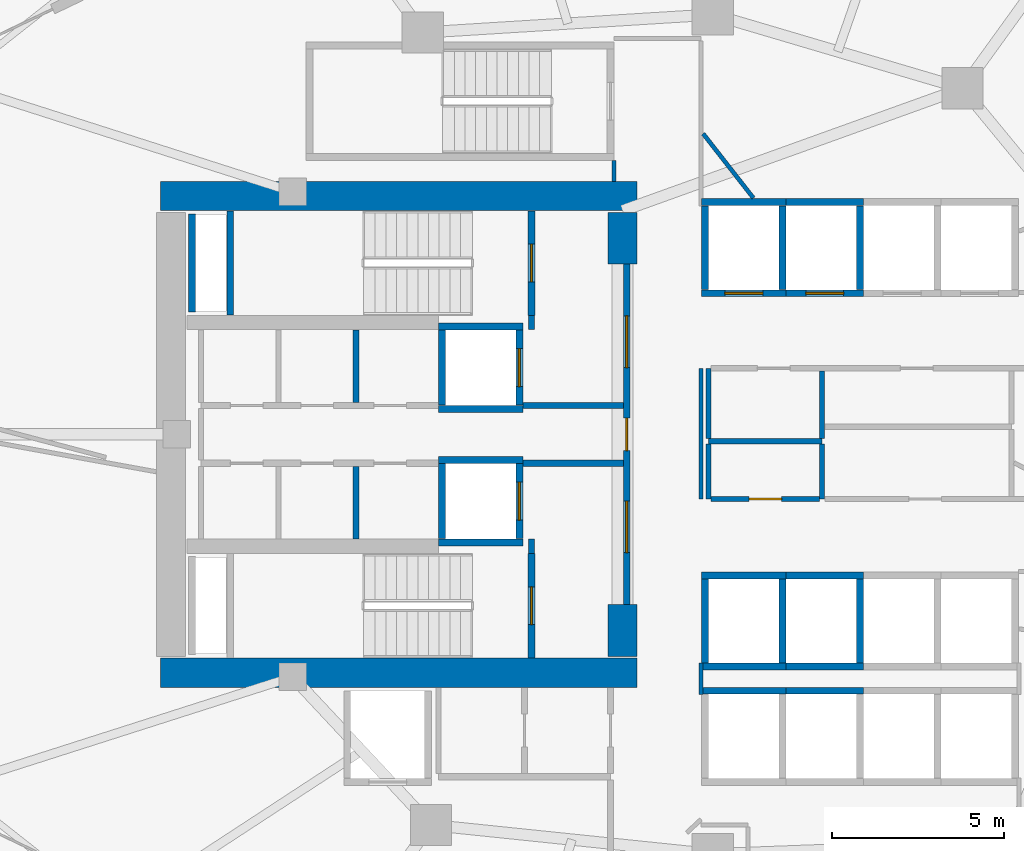
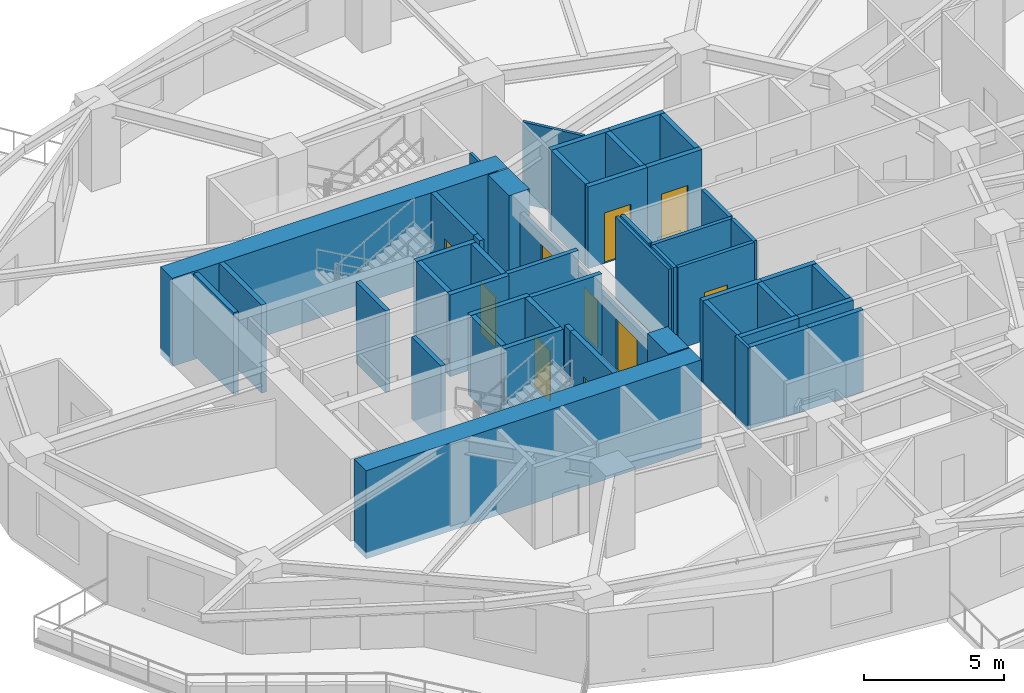
# One storey, part 4 of 15: 49 walls, 10 doors, 10 openings.
"""IFC4 building model written with IfcOpenShell, lengths in metres."""

from ifc_helpers import new_model, si_unit, direction, frame, frame_2d, origin, place, context, subcontext, project, spatial, rectangle, extrude, material, layer, layer_set, type_object, element, fill, save


model = new_model("IFC4")

# Units and contexts
model_context = context("Model", 3, precision=1e-05, world=origin(), true_north=direction((0.0, 1.0)))
body_context = subcontext(model_context, "Body", "Model", "MODEL_VIEW")
ifc_project = project(units=[si_unit("LENGTHUNIT", "METRE"), si_unit("AREAUNIT", "SQUARE_METRE"), si_unit("VOLUMEUNIT", "CUBIC_METRE"), si_unit("PLANEANGLEUNIT", "RADIAN"), si_unit("MASSUNIT", "GRAM", prefix="KILO")], contexts=[model_context])

# Site, building, storey
site_placement = place(None, origin())
site = spatial("IfcSite", under=ifc_project, at=site_placement, CompositionType="ELEMENT")
building_placement = place(site_placement, origin())
building = spatial("IfcBuilding", under=site, at=building_placement, Name="Kolvaren Gate Tower and Convention Centre", CompositionType="ELEMENT")
storey_placement = place(building_placement, frame((0.0, 0.0, 72.699951171875)))
storey = spatial("IfcBuildingStorey", under=building, at=storey_placement, Name="L17", CompositionType="ELEMENT", Elevation=72.699951171875)

# Walls
ifc_material_1 = material(Name="Autoclaved Aerated Masonry Blockwork Class 4 (4.0 MPa)", Category="masonry")
ifc_layer_1 = layer(ifc_material_1, 0.179931640625)
ifc_layer_set_1 = layer_set([ifc_layer_1], Name="Autoclaved Aerated Masonry Blockwork Class 4 (4.0 MPa)")
wall_type_1 = type_object("IfcWallType", Name="ARCH-WL-COMP-180", PredefinedType="SOLIDWALL", material=ifc_layer_set_1)
for number, where, z_axis, x_axis, name in (
    (1, (24.85009765625, 23.5400390625, 0.0), (0.0, 0.0, 1.0), (0.0, 1.0, 0.0), "Interior Partition WL-L17-INT-001"),
    (2, (24.85009765625, 30.0400390625, 0.0), (0.0, 0.0, 1.0), (0.0, 1.0, 0.0), "Interior Partition WL-L17-INT-002"),
):
    element("IfcWall", number, at=place(storey_placement, frame(where, z_axis=z_axis, x_axis=x_axis)), inside=storey, type_object=wall_type_1, Name=name, PredefinedType="SOLIDWALL", context=body_context, shape_type="SweptSolid", body=[
        extrude(rectangle(XDim=0.419921875, YDim=0.179931640625, at=frame_2d((0.2099609375, 0.0))), origin(), (0.0, 0.0, 1.0), 3.570068359375),
    ])

# Wall, openings, doors
wall_1_placement = place(storey_placement, frame((27.6201171875, 22.050048828125, 0.0), z_axis=(0.0, 0.0, 1.0), x_axis=(0.0, 1.0, 0.0)))
wall_1 = element("IfcWall", 3, at=wall_1_placement, inside=storey, type_object=wall_type_1, Name="Interior Partition WL-L17-INT-003", PredefinedType="SOLIDWALL", context=body_context, shape_type="SweptSolid", body=[
    extrude(rectangle(XDim=9.89990234375, YDim=0.179931640625, at=frame_2d((4.949951171875, 0.0))), origin(), (0.0, 0.0, 1.0), 2.662109375),
])
opening_1_placement = place(wall_1_placement, frame((4.47509765625, 0.0, 0.0)))
opening_1 = element("IfcOpeningElement", 4, at=opening_1_placement, cuts=wall_1, Name="Opening DR-01", PredefinedType="OPENING", context=body_context, shape_type="SweptSolid", body=[
    extrude(rectangle(XDim=0.949951171875, YDim=2.10009765625, at=frame_2d((0.47509765625, 1.050048828125))), frame((0.0, 0.099853515625, 0.0), z_axis=(0.0, -1.0, 0.0), x_axis=(1.0, 0.0, 0.0)), (0.0, 0.0, 1.0), 0.199951171875),
])
opening_2_placement = place(wall_1_placement, frame((6.889892578125, 0.0, 0.0)))
opening_2 = element("IfcOpeningElement", 5, at=opening_2_placement, cuts=wall_1, Name="Opening DL-01", PredefinedType="OPENING", context=body_context, shape_type="SweptSolid", body=[
    extrude(rectangle(XDim=1.5, YDim=2.199951171875, at=frame_2d((0.75, 1.10009765625))), frame((0.0, 0.099853515625, 0.0), z_axis=(0.0, -1.0, 0.0), x_axis=(1.0, 0.0, 0.0)), (0.0, 0.0, 1.0), 0.199951171875),
])
opening_3_placement = place(wall_1_placement, frame((1.510009765625, 0.0, 0.0)))
opening_3 = element("IfcOpeningElement", 6, at=opening_3_placement, cuts=wall_1, Name="Opening DL-01", PredefinedType="OPENING", context=body_context, shape_type="SweptSolid", body=[
    extrude(rectangle(XDim=1.5, YDim=2.199951171875, at=frame_2d((0.75, 1.10009765625))), frame((0.0, 0.099853515625, 0.0), z_axis=(0.0, -1.0, 0.0), x_axis=(1.0, 0.0, 0.0)), (0.0, 0.0, 1.0), 0.199951171875),
])
ifc_material_2 = material(Name="Painted Architectural Steelwork ASTM A500 Grade C 345 MPa", Category="steel")
door_type_1 = type_object("IfcDoorType", Name="ARCH-DR-LOBBY-1500", OperationType="DOUBLE_DOOR_SINGLE_SWING", PredefinedType="DOOR", material=ifc_material_2)
door_1_placement = place(opening_2_placement, origin())
door_1 = element("IfcDoor", 7, at=door_1_placement, inside=storey, type_object=door_type_1, Name="North Firefighting Stair and Lift Lobby Door", OperationType="DOUBLE_DOOR_SINGLE_SWING", OverallHeight=2.199951171875, OverallWidth=1.5, PredefinedType="DOOR", context=body_context, shape_type="SweptSolid", body=[
    extrude(rectangle(XDim=1.5, YDim=2.199951171875, at=frame_2d((0.75, 1.10009765625))), frame((0.0, 0.02490234375, 0.0), z_axis=(0.0, -1.0, 0.0), x_axis=(1.0, 0.0, 0.0)), (0.0, 0.0, 1.0), 0.050048828125),
])
fill(opening_2, door_1)
door_2_placement = place(opening_3_placement, origin())
door_2 = element("IfcDoor", 8, at=door_2_placement, inside=storey, type_object=door_type_1, Name="South Firefighting Stair and Lift Lobby Door", OperationType="DOUBLE_DOOR_SINGLE_SWING", OverallHeight=2.199951171875, OverallWidth=1.5, PredefinedType="DOOR", context=body_context, shape_type="SweptSolid", body=[
    extrude(rectangle(XDim=1.5, YDim=2.199951171875, at=frame_2d((0.75, 1.10009765625))), frame((0.0, 0.02490234375, 0.0), z_axis=(0.0, -1.0, 0.0), x_axis=(1.0, 0.0, 0.0)), (0.0, 0.0, 1.0), 0.050048828125),
])
fill(opening_3, door_2)
door_type_2 = type_object("IfcDoorType", Name="ARCH-DR-RISER-950", OperationType="SINGLE_SWING_RIGHT", PredefinedType="DOOR", material=ifc_material_2)
door_3_placement = place(opening_1_placement, origin())
door_3 = element("IfcDoor", 9, at=door_3_placement, inside=storey, type_object=door_type_2, Name="Central MEP Service Corridor Door", OperationType="SINGLE_SWING_RIGHT", OverallHeight=2.10009765625, OverallWidth=0.949951171875, PredefinedType="DOOR", context=body_context, shape_type="SweptSolid", body=[
    extrude(rectangle(XDim=0.949951171875, YDim=2.10009765625, at=frame_2d((0.47509765625, 1.050048828125))), frame((0.0, 0.02490234375, 0.0), z_axis=(0.0, -1.0, 0.0), x_axis=(1.0, 0.0, 0.0)), (0.0, 0.0, 1.0), 0.050048828125),
])
fill(opening_1, door_3)

# Walls
for number, where, z_axis, x_axis, name in (
    (10, (24.60009765625, 27.840087890625, 0.0), (0.0, 0.0, 1.0), (1.0, 0.0, 0.0), "Interior Partition WL-L17-INT-004 (2)"),
    (11, (24.60009765625, 26.159912109375, 0.0), (0.0, 0.0, 1.0), (1.0, 0.0, 0.0), "Interior Partition WL-L17-INT-005 (2)"),
):
    element("IfcWall", number, at=place(storey_placement, frame(where, z_axis=z_axis, x_axis=x_axis)), inside=storey, type_object=wall_type_1, Name=name, PredefinedType="SOLIDWALL", context=body_context, shape_type="SweptSolid", body=[
        extrude(rectangle(XDim=2.927978515625, YDim=0.179931640625, at=frame_2d((1.4638671875, 0.0))), origin(), (0.0, 0.0, 1.0), 3.570068359375),
    ])
for number, where, z_axis, x_axis, name in (
    (12, (19.75, 23.9619140625, 0.0), (0.0, 0.0, 1.0), (0.0, 1.0, 0.0), "Interior Partition WL-L17-INT-007"),
    (13, (19.75, 27.931884765625, 0.0), (0.0, 0.0, 1.0), (0.0, 1.0, 0.0), "Interior Partition WL-L17-INT-008"),
):
    element("IfcWall", number, at=place(storey_placement, frame(where, z_axis=z_axis, x_axis=x_axis)), inside=storey, type_object=wall_type_1, Name=name, PredefinedType="SOLIDWALL", context=body_context, shape_type="SweptSolid", body=[
        extrude(rectangle(XDim=2.106201171875, YDim=0.179931640625, at=frame_2d((1.05322265625, 0.0))), origin(), (0.0, 0.0, 1.0), 3.570068359375),
    ])
ifc_material_3 = material(Name="Fire-Rated Acoustic Gypsum Stud Partition", Category="gypsum")
ifc_layer_2 = layer(ifc_material_3, 0.1201171875)
ifc_layer_set_2 = layer_set([ifc_layer_2], Name="Fire-Rated Acoustic Gypsum Stud Partition")
wall_type_2 = type_object("IfcWallType", Name="ARCH-WL-PART-120", PredefinedType="PARTITIONING", material=ifc_layer_set_2)
wall_2_placement = place(storey_placement, frame((27.25, 34.35205078125, 0.0), z_axis=(0.0, 0.0, 1.0), x_axis=(0.0, 1.0, 0.0)))
element("IfcWall", 14, at=wall_2_placement, inside=storey, type_object=wall_type_2, Name="Interior Partition WL-L17-INT-026", PredefinedType="PARTITIONING", context=body_context, shape_type="SweptSolid", body=[
    extrude(rectangle(XDim=0.60595703125, YDim=0.1201171875, at=frame_2d((0.302978515625, 0.0))), origin(), (0.0, 0.0, 1.0), 3.570068359375),
])
wall_3_placement = place(storey_placement, frame((29.780029296875, 19.43994140625, 0.0), z_axis=(0.0, 0.0, 1.0), x_axis=(0.0, 1.0, 0.0)))
element("IfcWall", 15, at=wall_3_placement, inside=storey, type_object=wall_type_2, Name="Interior Partition WL-L17-INT-028", PredefinedType="PARTITIONING", context=body_context, shape_type="SweptSolid", body=[
    extrude(rectangle(XDim=0.920166015625, YDim=0.1201171875, at=frame_2d((0.4599609375, 0.0))), origin(), (0.0, 0.0, 1.0), 3.570068359375),
])
wall_4_placement = place(storey_placement, frame((29.780029296875, 25.1201171875, 0.0), z_axis=(0.0, 0.0, 1.0), x_axis=(0.0, 1.0, 0.0)))
element("IfcWall", 16, at=wall_4_placement, inside=storey, type_object=wall_type_2, Name="Interior Partition WL-L17-INT-029", PredefinedType="PARTITIONING", context=body_context, shape_type="SweptSolid", body=[
    extrude(rectangle(XDim=3.7998046875, YDim=0.1201171875, at=frame_2d((1.89990234375, 0.0))), origin(), (0.0, 0.0, 1.0), 3.570068359375),
])
wall_5_placement = place(storey_placement, frame((29.842041015625, 35.737548828125, 0.0), z_axis=(0.0, 0.0, 1.0), x_axis=(0.615658036341, -0.788013440424, 0.0)))
element("IfcWall", 17, at=wall_5_placement, inside=storey, type_object=wall_type_2, Name="Interior Partition WL-L17-INT-073", PredefinedType="PARTITIONING", context=body_context, shape_type="SweptSolid", body=[
    extrude(rectangle(XDim=2.369873046875, YDim=0.1201171875, at=frame_2d((1.18505859375, 0.0))), origin(), (0.0, 0.0, 1.0), 3.570068359375),
])
ifc_layer_3 = layer(ifc_material_1, 0.199951171875)
ifc_layer_set_3 = layer_set([ifc_layer_3], Name="Autoclaved Aerated Masonry Blockwork Class 4 (4.0 MPa)")
wall_type_3 = type_object("IfcWallType", Name="ARCH-WL-SHAFT-200", PredefinedType="SOLIDWALL", material=ifc_layer_set_3)
for number, where, z_axis, x_axis, name in (
    (18, (22.14990234375, 30.139892578125, 0.0), (0.0, 0.0, 1.0), (1.0, 0.0, 0.0), "Elevator FF-01 L17 Fire Shaft Wall N"),
    (19, (22.14990234375, 27.739990234375, 0.0), (0.0, 0.0, 1.0), (1.0, 0.0, 0.0), "Elevator FF-01 L17 Fire Shaft Wall S"),
):
    element("IfcWall", number, at=place(storey_placement, frame(where, z_axis=z_axis, x_axis=x_axis)), inside=storey, type_object=wall_type_3, Name=name, PredefinedType="SOLIDWALL", context=body_context, shape_type="SweptSolid", body=[
        extrude(rectangle(XDim=2.4501953125, YDim=0.199951171875, at=frame_2d((1.22509765625, 0.0))), origin(), (0.0, 0.0, 1.0), 3.570068359375),
    ])
wall_6_placement = place(storey_placement, frame((22.25, 27.85009765625, 0.0), z_axis=(0.0, 0.0, 1.0), x_axis=(0.0, 1.0, 0.0)))
element("IfcWall", 20, at=wall_6_placement, inside=storey, type_object=wall_type_3, Name="Elevator FF-01 L17 Fire Shaft Wall W", PredefinedType="SOLIDWALL", context=body_context, shape_type="SweptSolid", body=[
    extrude(rectangle(XDim=2.179931640625, YDim=0.199951171875, at=frame_2d((1.08984375, 0.0))), origin(), (0.0, 0.0, 1.0), 3.570068359375),
])

# Wall, opening, door
wall_7_placement = place(storey_placement, frame((24.5, 27.85009765625, 0.0), z_axis=(0.0, 0.0, 1.0), x_axis=(0.0, 1.0, 0.0)))
wall_7 = element("IfcWall", 21, at=wall_7_placement, inside=storey, type_object=wall_type_3, Name="Elevator FF-01 L17 Fire Shaft Wall E", PredefinedType="SOLIDWALL", context=body_context, shape_type="SweptSolid", body=[
    extrude(rectangle(XDim=2.179931640625, YDim=0.199951171875, at=frame_2d((1.08984375, 0.0))), origin(), (0.0, 0.0, 1.0), 3.570068359375),
])
opening_4_placement = place(wall_7_placement, frame((0.5400390625, 0.0, 0.0)))
opening_4 = element("IfcOpeningElement", 22, at=opening_4_placement, cuts=wall_7, Name="Opening LD", PredefinedType="OPENING", context=body_context, shape_type="SweptSolid", body=[
    extrude(rectangle(XDim=1.10009765625, YDim=2.199951171875, at=frame_2d((0.550048828125, 1.10009765625))), frame((0.0, 0.10986328125, 0.0), z_axis=(0.0, -1.0, 0.0), x_axis=(1.0, 0.0, 0.0)), (0.0, 0.0, 1.0), 0.219970703125),
])
ifc_material_4 = material(Name="Brushed Stainless Steel Grade 316L", Category="steel")
door_type_3 = type_object("IfcDoorType", Name="ARCH-DR-LIFT-1100", OperationType="SLIDING_TO_LEFT", PredefinedType="DOOR", material=ifc_material_4)
door_4_placement = place(opening_4_placement, origin())
door_4 = element("IfcDoor", 23, at=door_4_placement, inside=storey, type_object=door_type_3, Name="Elevator FF-01 L17 Sliding Landing Door", OperationType="SLIDING_TO_LEFT", OverallHeight=2.199951171875, OverallWidth=1.10009765625, PredefinedType="DOOR", context=body_context, shape_type="SweptSolid", body=[
    extrude(rectangle(XDim=1.10009765625, YDim=2.199951171875, at=frame_2d((0.550048828125, 1.10009765625))), frame((0.0, 0.02490234375, 0.0), z_axis=(0.0, -1.0, 0.0), x_axis=(1.0, 0.0, 0.0)), (0.0, 0.0, 1.0), 0.050048828125),
])
fill(opening_4, door_4)

# Walls
for number, where, z_axis, x_axis, name in (
    (24, (22.14990234375, 26.260009765625, 0.0), (0.0, 0.0, 1.0), (1.0, 0.0, 0.0), "Elevator FF-02 L17 Fire Shaft Wall N"),
    (25, (22.14990234375, 23.860107421875, 0.0), (0.0, 0.0, 1.0), (1.0, 0.0, 0.0), "Elevator FF-02 L17 Fire Shaft Wall S"),
):
    element("IfcWall", number, at=place(storey_placement, frame(where, z_axis=z_axis, x_axis=x_axis)), inside=storey, type_object=wall_type_3, Name=name, PredefinedType="SOLIDWALL", context=body_context, shape_type="SweptSolid", body=[
        extrude(rectangle(XDim=2.4501953125, YDim=0.199951171875, at=frame_2d((1.22509765625, 0.0))), origin(), (0.0, 0.0, 1.0), 3.570068359375),
    ])
wall_8_placement = place(storey_placement, frame((22.25, 23.969970703125, 0.0), z_axis=(0.0, 0.0, 1.0), x_axis=(0.0, 1.0, 0.0)))
element("IfcWall", 26, at=wall_8_placement, inside=storey, type_object=wall_type_3, Name="Elevator FF-02 L17 Fire Shaft Wall W", PredefinedType="SOLIDWALL", context=body_context, shape_type="SweptSolid", body=[
    extrude(rectangle(XDim=2.179931640625, YDim=0.199951171875, at=frame_2d((1.08984375, 0.0))), origin(), (0.0, 0.0, 1.0), 3.570068359375),
])

# Wall, opening, door
wall_9_placement = place(storey_placement, frame((24.5, 23.969970703125, 0.0), z_axis=(0.0, 0.0, 1.0), x_axis=(0.0, 1.0, 0.0)))
wall_9 = element("IfcWall", 27, at=wall_9_placement, inside=storey, type_object=wall_type_3, Name="Elevator FF-02 L17 Fire Shaft Wall E", PredefinedType="SOLIDWALL", context=body_context, shape_type="SweptSolid", body=[
    extrude(rectangle(XDim=2.179931640625, YDim=0.199951171875, at=frame_2d((1.08984375, 0.0))), origin(), (0.0, 0.0, 1.0), 3.570068359375),
])
opening_5_placement = place(wall_9_placement, frame((0.5400390625, 0.0, 0.0)))
opening_5 = element("IfcOpeningElement", 28, at=opening_5_placement, cuts=wall_9, Name="Opening LD", PredefinedType="OPENING", context=body_context, shape_type="SweptSolid", body=[
    extrude(rectangle(XDim=1.10009765625, YDim=2.199951171875, at=frame_2d((0.550048828125, 1.10009765625))), frame((0.0, 0.10986328125, 0.0), z_axis=(0.0, -1.0, 0.0), x_axis=(1.0, 0.0, 0.0)), (0.0, 0.0, 1.0), 0.219970703125),
])
door_5_placement = place(opening_5_placement, origin())
door_5 = element("IfcDoor", 29, at=door_5_placement, inside=storey, type_object=door_type_3, Name="Elevator FF-02 L17 Sliding Landing Door", OperationType="SLIDING_TO_LEFT", OverallHeight=2.199951171875, OverallWidth=1.10009765625, PredefinedType="DOOR", context=body_context, shape_type="SweptSolid", body=[
    extrude(rectangle(XDim=1.10009765625, YDim=2.199951171875, at=frame_2d((0.550048828125, 1.10009765625))), frame((0.0, 0.02490234375, 0.0), z_axis=(0.0, -1.0, 0.0), x_axis=(1.0, 0.0, 0.0)), (0.0, 0.0, 1.0), 0.050048828125),
])
fill(opening_5, door_5)

# Wall
wall_10_placement = place(storey_placement, frame((29.800048828125, 33.75, 0.0), z_axis=(0.0, 0.0, 1.0), x_axis=(1.0, 0.0, 0.0)))
element("IfcWall", 30, at=wall_10_placement, inside=storey, type_object=wall_type_3, Name="Elevator PL-01 L17 Fire Shaft Wall N", PredefinedType="SOLIDWALL", context=body_context, shape_type="SweptSolid", body=[
    extrude(rectangle(XDim=2.449951171875, YDim=0.199951171875, at=frame_2d((1.22509765625, 0.0))), origin(), (0.0, 0.0, 1.0), 3.570068359375),
])

# Wall, opening, door
wall_11_placement = place(storey_placement, frame((29.800048828125, 31.10009765625, 0.0), z_axis=(0.0, 0.0, 1.0), x_axis=(1.0, 0.0, 0.0)))
wall_11 = element("IfcWall", 31, at=wall_11_placement, inside=storey, type_object=wall_type_3, Name="Elevator PL-01 L17 Fire Shaft Wall S", PredefinedType="SOLIDWALL", context=body_context, shape_type="SweptSolid", body=[
    extrude(rectangle(XDim=2.449951171875, YDim=0.199951171875, at=frame_2d((1.22509765625, 0.0))), origin(), (0.0, 0.0, 1.0), 3.570068359375),
])
opening_6_placement = place(wall_11_placement, frame((0.675048828125, 0.0, 0.0)))
opening_6 = element("IfcOpeningElement", 32, at=opening_6_placement, cuts=wall_11, Name="Opening LD", PredefinedType="OPENING", context=body_context, shape_type="SweptSolid", body=[
    extrude(rectangle(XDim=1.10009765625, YDim=2.199951171875, at=frame_2d((0.550048828125, 1.10009765625))), frame((0.0, 0.10986328125, 0.0), z_axis=(0.0, -1.0, 0.0), x_axis=(1.0, 0.0, 0.0)), (0.0, 0.0, 1.0), 0.219970703125),
])
door_6_placement = place(opening_6_placement, origin())
door_6 = element("IfcDoor", 33, at=door_6_placement, inside=storey, type_object=door_type_3, Name="Elevator PL-01 L17 Sliding Landing Door", OperationType="SLIDING_TO_LEFT", OverallHeight=2.199951171875, OverallWidth=1.10009765625, PredefinedType="DOOR", context=body_context, shape_type="SweptSolid", body=[
    extrude(rectangle(XDim=1.10009765625, YDim=2.199951171875, at=frame_2d((0.550048828125, 1.10009765625))), frame((0.0, 0.02490234375, 0.0), z_axis=(0.0, -1.0, 0.0), x_axis=(1.0, 0.0, 0.0)), (0.0, 0.0, 1.0), 0.050048828125),
])
fill(opening_6, door_6)

# Walls
for number, where, z_axis, x_axis, name in (
    (34, (29.89990234375, 31.2099609375, 0.0), (0.0, 0.0, 1.0), (0.0, 1.0, 0.0), "Elevator PL-01 L17 Fire Shaft Wall W"),
    (35, (32.14990234375, 31.2099609375, 0.0), (0.0, 0.0, 1.0), (0.0, 1.0, 0.0), "Elevator PL-01 L17 Fire Shaft Wall E"),
):
    element("IfcWall", number, at=place(storey_placement, frame(where, z_axis=z_axis, x_axis=x_axis)), inside=storey, type_object=wall_type_3, Name=name, PredefinedType="SOLIDWALL", context=body_context, shape_type="SweptSolid", body=[
        extrude(rectangle(XDim=2.429931640625, YDim=0.199951171875, at=frame_2d((1.21484375, 0.0))), origin(), (0.0, 0.0, 1.0), 3.570068359375),
    ])
wall_12_placement = place(storey_placement, frame((32.25, 33.75, 0.0), z_axis=(0.0, 0.0, 1.0), x_axis=(1.0, 0.0, 0.0)))
element("IfcWall", 36, at=wall_12_placement, inside=storey, type_object=wall_type_3, Name="Elevator PL-02 L17 Fire Shaft Wall N", PredefinedType="SOLIDWALL", context=body_context, shape_type="SweptSolid", body=[
    extrude(rectangle(XDim=2.25, YDim=0.199951171875, at=frame_2d((1.125, 0.0))), origin(), (0.0, 0.0, 1.0), 3.570068359375),
])

# Wall, opening, door
wall_13_placement = place(storey_placement, frame((32.25, 31.10009765625, 0.0), z_axis=(0.0, 0.0, 1.0), x_axis=(1.0, 0.0, 0.0)))
wall_13 = element("IfcWall", 37, at=wall_13_placement, inside=storey, type_object=wall_type_3, Name="Elevator PL-02 L17 Fire Shaft Wall S", PredefinedType="SOLIDWALL", context=body_context, shape_type="SweptSolid", body=[
    extrude(rectangle(XDim=2.25, YDim=0.199951171875, at=frame_2d((1.125, 0.0))), origin(), (0.0, 0.0, 1.0), 3.570068359375),
])
opening_7_placement = place(wall_13_placement, frame((0.574951171875, 0.0, 0.0)))
opening_7 = element("IfcOpeningElement", 38, at=opening_7_placement, cuts=wall_13, Name="Opening LD", PredefinedType="OPENING", context=body_context, shape_type="SweptSolid", body=[
    extrude(rectangle(XDim=1.10009765625, YDim=2.199951171875, at=frame_2d((0.550048828125, 1.10009765625))), frame((0.0, 0.10986328125, 0.0), z_axis=(0.0, -1.0, 0.0), x_axis=(1.0, 0.0, 0.0)), (0.0, 0.0, 1.0), 0.219970703125),
])
door_7_placement = place(opening_7_placement, origin())
door_7 = element("IfcDoor", 39, at=door_7_placement, inside=storey, type_object=door_type_3, Name="Elevator PL-02 L17 Sliding Landing Door", OperationType="SLIDING_TO_LEFT", OverallHeight=2.199951171875, OverallWidth=1.10009765625, PredefinedType="DOOR", context=body_context, shape_type="SweptSolid", body=[
    extrude(rectangle(XDim=1.10009765625, YDim=2.199951171875, at=frame_2d((0.550048828125, 1.10009765625))), frame((0.0, 0.02490234375, 0.0), z_axis=(0.0, -1.0, 0.0), x_axis=(1.0, 0.0, 0.0)), (0.0, 0.0, 1.0), 0.050048828125),
])
fill(opening_7, door_7)

# Walls
wall_14_placement = place(storey_placement, frame((34.39990234375, 31.2099609375, 0.0), z_axis=(0.0, 0.0, 1.0), x_axis=(0.0, 1.0, 0.0)))
element("IfcWall", 40, at=wall_14_placement, inside=storey, type_object=wall_type_3, Name="Elevator PL-02 L17 Fire Shaft Wall E", PredefinedType="SOLIDWALL", context=body_context, shape_type="SweptSolid", body=[
    extrude(rectangle(XDim=2.429931640625, YDim=0.199951171875, at=frame_2d((1.21484375, 0.0))), origin(), (0.0, 0.0, 1.0), 3.570068359375),
])
wall_15_placement = place(storey_placement, frame((29.800048828125, 19.550048828125, 0.0), z_axis=(0.0, 0.0, 1.0), x_axis=(1.0, 0.0, 0.0)))
element("IfcWall", 41, at=wall_15_placement, inside=storey, type_object=wall_type_3, Name="Elevator PL-05 L17 Fire Shaft Wall N", PredefinedType="SOLIDWALL", context=body_context, shape_type="SweptSolid", body=[
    extrude(rectangle(XDim=2.449951171875, YDim=0.199951171875, at=frame_2d((1.22509765625, 0.0))), origin(), (0.0, 0.0, 1.0), 3.570068359375),
])
wall_16_placement = place(storey_placement, frame((32.25, 19.550048828125, 0.0), z_axis=(0.0, 0.0, 1.0), x_axis=(1.0, 0.0, 0.0)))
element("IfcWall", 42, at=wall_16_placement, inside=storey, type_object=wall_type_3, Name="Elevator PL-06 L17 Fire Shaft Wall N", PredefinedType="SOLIDWALL", context=body_context, shape_type="SweptSolid", body=[
    extrude(rectangle(XDim=2.25, YDim=0.199951171875, at=frame_2d((1.125, 0.0))), origin(), (0.0, 0.0, 1.0), 3.570068359375),
])
for number, where, z_axis, x_axis, name in (
    (43, (29.800048828125, 22.89990234375, 0.0), (0.0, 0.0, 1.0), (1.0, 0.0, 0.0), "Elevator PL-09 L17 Fire Shaft Wall N"),
    (44, (29.800048828125, 20.25, 0.0), (0.0, 0.0, 1.0), (1.0, 0.0, 0.0), "Elevator PL-09 L17 Fire Shaft Wall S"),
):
    element("IfcWall", number, at=place(storey_placement, frame(where, z_axis=z_axis, x_axis=x_axis)), inside=storey, type_object=wall_type_3, Name=name, PredefinedType="SOLIDWALL", context=body_context, shape_type="SweptSolid", body=[
        extrude(rectangle(XDim=2.449951171875, YDim=0.199951171875, at=frame_2d((1.22509765625, 0.0))), origin(), (0.0, 0.0, 1.0), 3.570068359375),
    ])
for number, where, z_axis, x_axis, name in (
    (45, (29.89990234375, 20.360107421875, 0.0), (0.0, 0.0, 1.0), (0.0, 1.0, 0.0), "Elevator PL-09 L17 Fire Shaft Wall W"),
    (46, (32.14990234375, 20.360107421875, 0.0), (0.0, 0.0, 1.0), (0.0, 1.0, 0.0), "Elevator PL-09 L17 Fire Shaft Wall E"),
):
    element("IfcWall", number, at=place(storey_placement, frame(where, z_axis=z_axis, x_axis=x_axis)), inside=storey, type_object=wall_type_3, Name=name, PredefinedType="SOLIDWALL", context=body_context, shape_type="SweptSolid", body=[
        extrude(rectangle(XDim=2.429931640625, YDim=0.199951171875, at=frame_2d((1.21484375, 0.0))), origin(), (0.0, 0.0, 1.0), 3.570068359375),
    ])
for number, where, z_axis, x_axis, name in (
    (47, (32.25, 22.89990234375, 0.0), (0.0, 0.0, 1.0), (1.0, 0.0, 0.0), "Elevator PL-10 L17 Fire Shaft Wall N"),
    (48, (32.25, 20.25, 0.0), (0.0, 0.0, 1.0), (1.0, 0.0, 0.0), "Elevator PL-10 L17 Fire Shaft Wall S"),
):
    element("IfcWall", number, at=place(storey_placement, frame(where, z_axis=z_axis, x_axis=x_axis)), inside=storey, type_object=wall_type_3, Name=name, PredefinedType="SOLIDWALL", context=body_context, shape_type="SweptSolid", body=[
        extrude(rectangle(XDim=2.25, YDim=0.199951171875, at=frame_2d((1.125, 0.0))), origin(), (0.0, 0.0, 1.0), 3.570068359375),
    ])
wall_17_placement = place(storey_placement, frame((34.39990234375, 20.360107421875, 0.0), z_axis=(0.0, 0.0, 1.0), x_axis=(0.0, 1.0, 0.0)))
element("IfcWall", 49, at=wall_17_placement, inside=storey, type_object=wall_type_3, Name="Elevator PL-10 L17 Fire Shaft Wall E", PredefinedType="SOLIDWALL", context=body_context, shape_type="SweptSolid", body=[
    extrude(rectangle(XDim=2.429931640625, YDim=0.199951171875, at=frame_2d((1.21484375, 0.0))), origin(), (0.0, 0.0, 1.0), 3.570068359375),
])
wall_18_placement = place(storey_placement, frame((14.989990234375, 30.550048828125, 0.0), z_axis=(0.0, 0.0, 1.0), x_axis=(0.0, 1.0, 0.0)))
element("IfcWall", 50, at=wall_18_placement, inside=storey, type_object=wall_type_3, Name="Vertical Shaft HVR L17 EI-120 Enclosure Wall W", PredefinedType="SOLIDWALL", context=body_context, shape_type="SweptSolid", body=[
    extrude(rectangle(XDim=2.849853515625, YDim=0.199951171875, at=frame_2d((1.4248046875, 0.0))), origin(), (0.0, 0.0, 1.0), 3.570068359375),
])
ifc_material_5 = material(Name="Moisture-Resistant Cement-Board Acoustic Partition", Category="gypsum")
ifc_layer_4 = layer(ifc_material_5, 0.14990234375)
ifc_layer_set_4 = layer_set([ifc_layer_4], Name="Moisture-Resistant Cement-Board Acoustic Partition")
wall_type_4 = type_object("IfcWallType", Name="ARCH-WL-WET-150", PredefinedType="PARTITIONING", material=ifc_layer_set_4)
wall_19_placement = place(storey_placement, frame((30.0, 26.800048828125, 0.0), z_axis=(0.0, 0.0, 1.0), x_axis=(1.0, 0.0, 0.0)))
element("IfcWall", 51, at=wall_19_placement, inside=storey, type_object=wall_type_4, Name="Interior Partition WL-L17-INT-015", PredefinedType="PARTITIONING", context=body_context, shape_type="SweptSolid", body=[
    extrude(rectangle(XDim=3.300048828125, YDim=0.14990234375, at=frame_2d((1.64990234375, 0.0))), origin(), (0.0, 0.0, 1.0), 3.570068359375),
])
wall_20_placement = place(storey_placement, frame((30.0, 25.1201171875, 0.0), z_axis=(0.0, 0.0, 1.0), x_axis=(0.0, 1.0, 0.0)))
element("IfcWall", 52, at=wall_20_placement, inside=storey, type_object=wall_type_4, Name="Interior Partition WL-L17-INT-016", PredefinedType="PARTITIONING", context=body_context, shape_type="SweptSolid", body=[
    extrude(rectangle(XDim=1.602783203125, YDim=0.14990234375, at=frame_2d((0.80126953125, 0.0))), origin(), (0.0, 0.0, 1.0), 3.570068359375),
])
wall_21_placement = place(storey_placement, frame((30.0, 26.876953125, 0.0), z_axis=(0.0, 0.0, 1.0), x_axis=(0.0, 1.0, 0.0)))
element("IfcWall", 53, at=wall_21_placement, inside=storey, type_object=wall_type_4, Name="Interior Partition WL-L17-INT-016 (2)", PredefinedType="PARTITIONING", context=body_context, shape_type="SweptSolid", body=[
    extrude(rectangle(XDim=2.04296875, YDim=0.14990234375, at=frame_2d((1.021484375, 0.0))), origin(), (0.0, 0.0, 1.0), 3.570068359375),
])
wall_22_placement = place(storey_placement, frame((33.300048828125, 25.1201171875, 0.0), z_axis=(0.0, 0.0, 1.0), x_axis=(0.0, 1.0, 0.0)))
element("IfcWall", 54, at=wall_22_placement, inside=storey, type_object=wall_type_4, Name="Interior Partition WL-L17-INT-018", PredefinedType="PARTITIONING", context=body_context, shape_type="SweptSolid", body=[
    extrude(rectangle(XDim=1.602783203125, YDim=0.14990234375, at=frame_2d((0.80126953125, 0.0))), origin(), (0.0, 0.0, 1.0), 3.570068359375),
])
wall_23_placement = place(storey_placement, frame((33.300048828125, 26.876953125, 0.0), z_axis=(0.0, 0.0, 1.0), x_axis=(0.0, 1.0, 0.0)))
element("IfcWall", 55, at=wall_23_placement, inside=storey, type_object=wall_type_4, Name="Interior Partition WL-L17-INT-018 (2)", PredefinedType="PARTITIONING", context=body_context, shape_type="SweptSolid", body=[
    extrude(rectangle(XDim=1.966064453125, YDim=0.14990234375, at=frame_2d((0.98291015625, 0.0))), origin(), (0.0, 0.0, 1.0), 3.570068359375),
])

# Wall, opening, door
wall_24_placement = place(storey_placement, frame((30.076904296875, 25.1201171875, 0.0), z_axis=(0.0, 0.0, 1.0), x_axis=(1.0, 0.0, 0.0)))
wall_24 = element("IfcWall", 56, at=wall_24_placement, inside=storey, type_object=wall_type_4, Name="Interior Partition WL-L17-INT-019", PredefinedType="PARTITIONING", context=body_context, shape_type="SweptSolid", body=[
    extrude(rectangle(XDim=3.14599609375, YDim=0.14990234375, at=frame_2d((1.572998046875, 0.0))), origin(), (0.0, 0.0, 1.0), 3.570068359375),
])
opening_8_placement = place(wall_24_placement, frame((1.097900390625, 0.0, 0.0)))
opening_8 = element("IfcOpeningElement", 57, at=opening_8_placement, cuts=wall_24, Name="Opening DR-01", PredefinedType="OPENING", context=body_context, shape_type="SweptSolid", body=[
    extrude(rectangle(XDim=0.949951171875, YDim=2.10009765625, at=frame_2d((0.47509765625, 1.050048828125))), frame((0.0, 0.0849609375, 0.0), z_axis=(0.0, -1.0, 0.0), x_axis=(1.0, 0.0, 0.0)), (0.0, 0.0, 1.0), 0.169921875),
])
door_8_placement = place(opening_8_placement, origin())
door_8 = element("IfcDoor", 58, at=door_8_placement, inside=storey, type_object=door_type_2, Name="South Visitor Washroom Door", OperationType="SINGLE_SWING_LEFT", OverallHeight=2.10009765625, OverallWidth=0.949951171875, PredefinedType="DOOR", context=body_context, shape_type="SweptSolid", body=[
    extrude(rectangle(XDim=0.949951171875, YDim=2.10009765625, at=frame_2d((0.47509765625, 1.050048828125))), frame((0.0, 0.02490234375, 0.0), z_axis=(0.0, -1.0, 0.0), x_axis=(1.0, 0.0, 0.0)), (0.0, 0.0, 1.0), 0.050048828125),
])
fill(opening_8, door_8)

# Walls
ifc_material_6 = material(Name="Concrete C70/85", Category="concrete")
ifc_layer_5 = layer(ifc_material_6, 0.85009765625)
ifc_layer_set_5 = layer_set([ifc_layer_5], Name="Concrete C70/85")
wall_type_5 = type_object("IfcWallType", Name="STR-WL-CORE-850", PredefinedType="SHEAR", material=ifc_layer_set_5)
for number, where, z_axis, x_axis, name in (
    (59, (14.074951171875, 33.925048828125, -0.280029296875), (0.0, 0.0, 1.0), (1.0, 0.0, 0.0), "Tower L17 Offset Core Shear Wall N"),
    (60, (14.074951171875, 20.074951171875, -0.280029296875), (0.0, 0.0, 1.0), (1.0, 0.0, 0.0), "Tower L17 Offset Core Shear Wall S"),
):
    element("IfcWall", number, at=place(storey_placement, frame(where, z_axis=z_axis, x_axis=x_axis)), inside=storey, type_object=wall_type_5, Name=name, PredefinedType="SHEAR", context=body_context, shape_type="SweptSolid", body=[
        extrude(rectangle(XDim=13.85009765625, YDim=0.85009765625, at=frame_2d((6.925048828125, 0.0))), origin(), (0.0, 0.0, 1.0), 3.85009765625),
    ])
for number, where, z_axis, x_axis, name in (
    (61, (27.5, 31.949951171875, -0.280029296875), (0.0, 0.0, 1.0), (0.0, 1.0, 0.0), "Tower L17 Offset Core Shear Wall EN"),
    (62, (27.5, 20.550048828125, -0.280029296875), (0.0, 0.0, 1.0), (0.0, 1.0, 0.0), "Tower L17 Offset Core Shear Wall ES"),
):
    element("IfcWall", number, at=place(storey_placement, frame(where, z_axis=z_axis, x_axis=x_axis)), inside=storey, type_object=wall_type_5, Name=name, PredefinedType="SHEAR", context=body_context, shape_type="SweptSolid", body=[
        extrude(rectangle(XDim=1.5, YDim=0.85009765625, at=frame_2d((0.75, 0.0))), origin(), (0.0, 0.0, 1.0), 3.85009765625),
    ])

# Wall, opening, door
ifc_material_7 = material(Name="Concrete C50/60", Category="concrete")
ifc_layer_6 = layer(ifc_material_7, 0.199951171875)
ifc_layer_set_6 = layer_set([ifc_layer_6], Name="Concrete C50/60")
wall_type_6 = type_object("IfcWallType", Name="STR-WL-SHAFT-200", PredefinedType="SHEAR", material=ifc_layer_set_6)
wall_25_placement = place(storey_placement, frame((24.85009765625, 30.4599609375, -0.280029296875), z_axis=(0.0, 0.0, 1.0), x_axis=(0.0, 1.0, 0.0)))
wall_25 = element("IfcWall", 63, at=wall_25_placement, inside=storey, type_object=wall_type_6, Name="Tower North Exit Stair ST-T1 L17 Structural Shear Enclosure Wall NEAR", PredefinedType="SHEAR", context=body_context, shape_type="SweptSolid", body=[
    extrude(rectangle(XDim=3.0380859375, YDim=0.199951171875, at=frame_2d((1.51904296875, 0.0))), origin(), (0.0, 0.0, 1.0), 3.85009765625),
])
opening_9_placement = place(wall_25_placement, frame((0.968994140625, 0.0, 0.280029296875)))
opening_9 = element("IfcOpeningElement", 64, at=opening_9_placement, cuts=wall_25, Name="Opening DS-01", PredefinedType="OPENING", context=body_context, shape_type="SweptSolid", body=[
    extrude(rectangle(XDim=1.10009765625, YDim=2.14990234375, at=frame_2d((0.550048828125, 1.074951171875))), frame((0.0, 0.10986328125, 0.0), z_axis=(0.0, -1.0, 0.0), x_axis=(1.0, 0.0, 0.0)), (0.0, 0.0, 1.0), 0.219970703125),
])
door_type_4 = type_object("IfcDoorType", Name="ARCH-DR-STAIR-1100", OperationType="SINGLE_SWING_LEFT", PredefinedType="DOOR", material=ifc_material_2)
door_9_placement = place(opening_9_placement, origin())
door_9 = element("IfcDoor", 65, at=door_9_placement, inside=storey, type_object=door_type_4, Name="Tower North Exit Stair ST-T1 L17 Fire Exit Stair Door", OperationType="SINGLE_SWING_LEFT", OverallHeight=2.14990234375, OverallWidth=1.10009765625, PredefinedType="DOOR", context=body_context, shape_type="SweptSolid", body=[
    extrude(rectangle(XDim=1.10009765625, YDim=2.14990234375, at=frame_2d((0.550048828125, 1.074951171875))), frame((0.0, 0.02490234375, 0.0), z_axis=(0.0, -1.0, 0.0), x_axis=(1.0, 0.0, 0.0)), (0.0, 0.0, 1.0), 0.050048828125),
])
fill(opening_9, door_9)

# Wall
wall_26_placement = place(storey_placement, frame((16.10009765625, 30.4619140625, -0.280029296875), z_axis=(0.0, 0.0, 1.0), x_axis=(0.0, 1.0, 0.0)))
element("IfcWall", 66, at=wall_26_placement, inside=storey, type_object=wall_type_6, Name="Tower North Exit Stair ST-T1 L17 Structural Shear Enclosure Wall FAR", PredefinedType="SHEAR", context=body_context, shape_type="SweptSolid", body=[
    extrude(rectangle(XDim=3.0361328125, YDim=0.199951171875, at=frame_2d((1.51806640625, 0.0))), origin(), (0.0, 0.0, 1.0), 3.85009765625),
])

# Wall, opening, door
wall_27_placement = place(storey_placement, frame((24.85009765625, 20.501953125, -0.280029296875), z_axis=(0.0, 0.0, 1.0), x_axis=(0.0, 1.0, 0.0)))
wall_27 = element("IfcWall", 67, at=wall_27_placement, inside=storey, type_object=wall_type_6, Name="Tower South Exit Stair ST-T2 L17 Structural Shear Enclosure Wall NEAR", PredefinedType="SHEAR", context=body_context, shape_type="SweptSolid", body=[
    extrude(rectangle(XDim=3.0380859375, YDim=0.199951171875, at=frame_2d((1.51904296875, 0.0))), origin(), (0.0, 0.0, 1.0), 3.85009765625),
])
opening_10_placement = place(wall_27_placement, frame((0.968994140625, 0.0, 0.280029296875)))
opening_10 = element("IfcOpeningElement", 68, at=opening_10_placement, cuts=wall_27, Name="Opening DS-01", PredefinedType="OPENING", context=body_context, shape_type="SweptSolid", body=[
    extrude(rectangle(XDim=1.10009765625, YDim=2.14990234375, at=frame_2d((0.550048828125, 1.074951171875))), frame((0.0, 0.10986328125, 0.0), z_axis=(0.0, -1.0, 0.0), x_axis=(1.0, 0.0, 0.0)), (0.0, 0.0, 1.0), 0.219970703125),
])
door_10_placement = place(opening_10_placement, origin())
door_10 = element("IfcDoor", 69, at=door_10_placement, inside=storey, type_object=door_type_4, Name="Tower South Exit Stair ST-T2 L17 Fire Exit Stair Door", OperationType="SINGLE_SWING_LEFT", OverallHeight=2.14990234375, OverallWidth=1.10009765625, PredefinedType="DOOR", context=body_context, shape_type="SweptSolid", body=[
    extrude(rectangle(XDim=1.10009765625, YDim=2.14990234375, at=frame_2d((0.550048828125, 1.074951171875))), frame((0.0, 0.02490234375, 0.0), z_axis=(0.0, -1.0, 0.0), x_axis=(1.0, 0.0, 0.0)), (0.0, 0.0, 1.0), 0.050048828125),
])
fill(opening_10, door_10)

save(model, "model.ifc")
